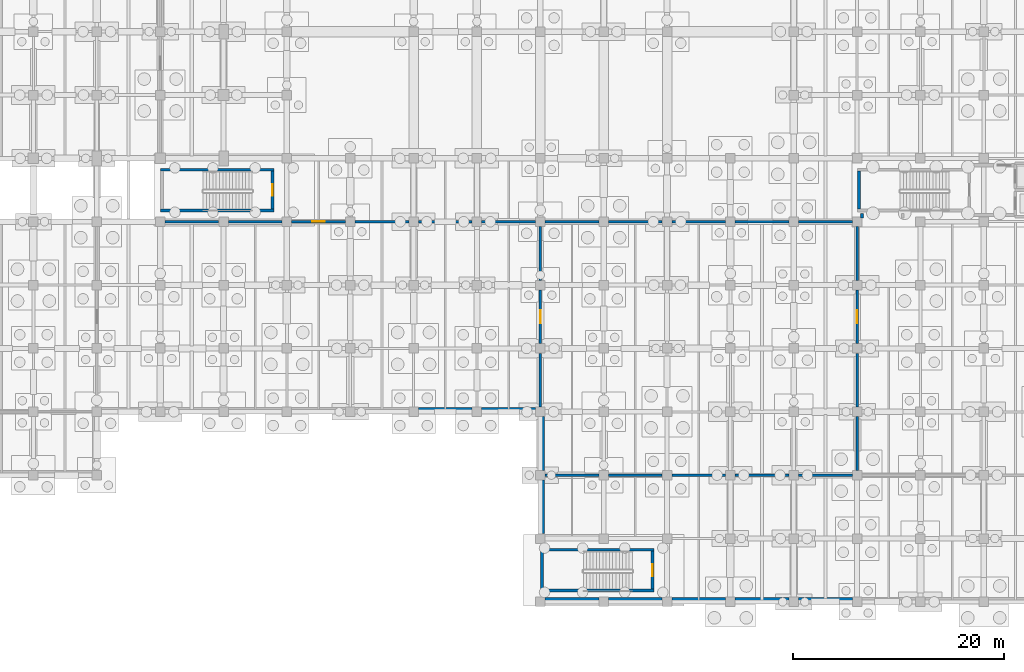
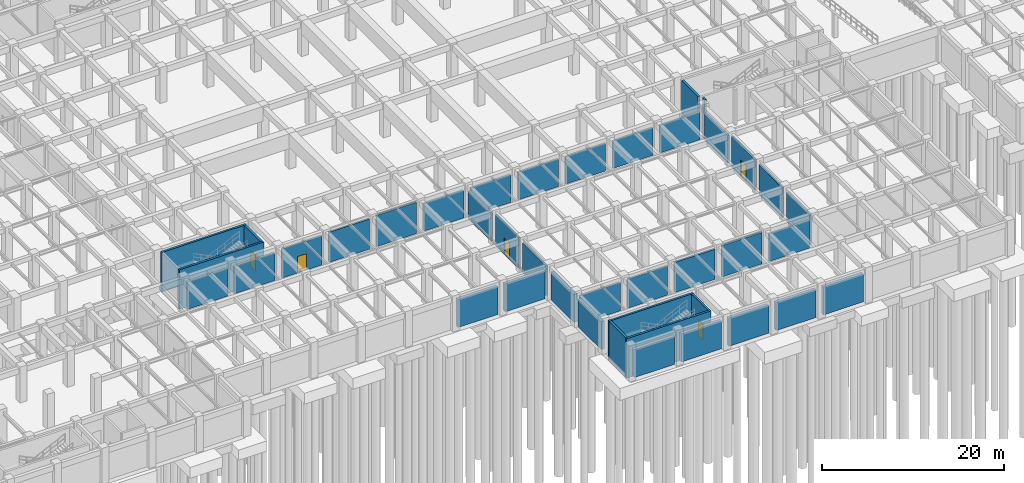
# One storey, part 39 of 54: 41 walls, 5 doors, 5 openings.
"""IFC4 building model written with IfcOpenShell, lengths in metres."""

from ifc_helpers import new_model, si_unit, direction, frame, frame_2d, origin, place, context, subcontext, project, spatial, rectangle, extrude, material, layer, layer_set, type_object, element, fill, save


model = new_model("IFC4")

# Units and contexts
model_context = context("Model", 3, precision=1e-05, world=origin(), true_north=direction((0.0, 1.0)))
body_context = subcontext(model_context, "Body", "Model", "MODEL_VIEW")
ifc_project = project(units=[si_unit("LENGTHUNIT", "METRE"), si_unit("AREAUNIT", "SQUARE_METRE"), si_unit("VOLUMEUNIT", "CUBIC_METRE"), si_unit("PLANEANGLEUNIT", "RADIAN"), si_unit("MASSUNIT", "GRAM", prefix="KILO"), si_unit("THERMODYNAMICTEMPERATUREUNIT", "KELVIN"), si_unit("POWERUNIT", "WATT")], contexts=[model_context])

# Site, building, storey
site_placement = place(None, origin())
site = spatial("IfcSite", under=ifc_project, at=site_placement, CompositionType="ELEMENT")
building_placement = place(site_placement, origin())
building = spatial("IfcBuilding", under=site, at=building_placement, Name="Phaisarnlok Congress Hotel", CompositionType="ELEMENT")
storey_placement = place(building_placement, frame((0.0, 0.0, -4.800048828125)))
storey = spatial("IfcBuildingStorey", under=building, at=storey_placement, Name="B01", CompositionType="ELEMENT", Elevation=-4.800048828125)

# Walls
ifc_material_1 = material(Name="Concrete C40/50", Category="concrete")
ifc_layer_1 = layer(ifc_material_1, 0.419921875, Name="Concrete C40/50")
ifc_layer_set_1 = layer_set([ifc_layer_1], Name="Concrete C40/50")
wall_type_1 = type_object("IfcWallType", Name="WL-EXT-420", PredefinedType="SOLIDWALL", material=ifc_layer_set_1)
for number, where, z_axis, x_axis, name in (
    (1, (84.455078125, 18.2099609375, 0.0), (0.0, 0.0, 1.0), (1.0, 0.0, 0.0), "Exterior wall EW-08 (B01)"),
    (2, (90.455078125, 18.2099609375, 0.0), (0.0, 0.0, 1.0), (1.0, 0.0, 0.0), "Exterior wall EW-08 (B01)"),
    (3, (96.2099609375, 17.544921875, 0.0), (0.0, 0.0, 1.0), (0.0, -1.0, 0.0), "Exterior wall EW-08 (B01)"),
    (4, (96.2099609375, 11.544921875, 0.0), (0.0, 0.0, 1.0), (0.0, -1.0, 0.0), "Exterior wall EW-08 (B01)"),
    (5, (96.455078125, 0.2099609375, 0.0), (0.0, 0.0, 1.0), (1.0, 0.0, 0.0), "Exterior wall EW-08 (B01)"),
    (6, (102.455078125, 0.2099609375, 0.0), (0.0, 0.0, 1.0), (1.0, 0.0, 0.0), "Exterior wall EW-08 (B01)"),
    (7, (108.455078125, 0.2099609375, 0.0), (0.0, 0.0, 1.0), (1.0, 0.0, 0.0), "Exterior wall EW-08 (B01)"),
    (8, (114.455078125, 0.2099609375, 0.0), (0.0, 0.0, 1.0), (1.0, 0.0, 0.0), "Exterior wall EW-08 (B01)"),
    (9, (120.455078125, 0.2099609375, 0.0), (0.0, 0.0, 1.0), (1.0, 0.0, 0.0), "Exterior wall EW-08 (B01)"),
):
    element("IfcWall", number, at=place(storey_placement, frame(where, z_axis=z_axis, x_axis=x_axis)), inside=storey, type_object=wall_type_1, Name=name, PredefinedType="SOLIDWALL", context=body_context, shape_type="SweptSolid", body=[
        extrude(rectangle(XDim=5.08984375, YDim=0.419921875, at=frame_2d((2.544921875, 0.0))), origin(), (0.0, 0.0, 1.0), 3.75),
    ])
ifc_layer_2 = layer(ifc_material_1, 0.239990234375, Name="Concrete C40/50")
ifc_layer_set_2 = layer_set([ifc_layer_2], Name="Concrete C40/50")
wall_type_2 = type_object("IfcWallType", Name="WL-INT-240", PredefinedType="PARTITIONING", material=ifc_layer_set_2)
wall_1_placement = place(storey_placement, frame((96.0, 18.455078125, 0.0), z_axis=(0.0, 0.0, 1.0), x_axis=(0.0, 1.0, 0.0)))
element("IfcWall", 10, at=wall_1_placement, inside=storey, type_object=wall_type_2, Name="Interior partition wall IW-01 (B01)", PredefinedType="PARTITIONING", context=body_context, shape_type="SweptSolid", body=[
    extrude(rectangle(XDim=5.08984375, YDim=0.239990234375, at=frame_2d((2.544921875, 0.0))), origin(), (0.0, 0.0, 1.0), 4.0),
])

# Wall, opening, door
wall_2_placement = place(storey_placement, frame((96.0, 24.455078125, 0.0), z_axis=(0.0, 0.0, 1.0), x_axis=(0.0, 1.0, 0.0)))
wall_2 = element("IfcWall", 11, at=wall_2_placement, inside=storey, type_object=wall_type_2, Name="Interior partition wall IW-01 (B01)", PredefinedType="PARTITIONING", context=body_context, shape_type="SweptSolid", body=[
    extrude(rectangle(XDim=5.08984375, YDim=0.239990234375, at=frame_2d((2.544921875, 0.0))), origin(), (0.0, 0.0, 1.0), 4.16015625),
])
opening_1_placement = place(wall_2_placement, frame((1.945068359375, 0.0, 0.0)))
opening_1 = element("IfcOpeningElement", 12, at=opening_1_placement, cuts=wall_2, Name="Opening D-0010", PredefinedType="OPENING", context=body_context, shape_type="SweptSolid", body=[
    extrude(rectangle(XDim=1.199951171875, YDim=2.199951171875, at=frame_2d((0.60009765625, 1.10009765625))), frame((0.0, 0.1298828125, 0.0), z_axis=(0.0, -1.0, 0.0), x_axis=(1.0, 0.0, 0.0)), (0.0, 0.0, 1.0), 0.260009765625),
])
ifc_material_2 = material(Name="Fire-Rated Steel Frame & Timber Leaf", Category="steel")
door_type_1 = type_object("IfcDoorType", Name="DR-FD60-1200", OperationType="NOTDEFINED", PredefinedType="DOOR", material=ifc_material_2)
door_1_placement = place(opening_1_placement, origin())
door_1 = element("IfcDoor", 13, at=door_1_placement, inside=storey, type_object=door_type_1, Name="Interior door D-0010 (B01)", OperationType="SINGLE_SWING_LEFT", OverallHeight=2.199951171875, OverallWidth=1.199951171875, PredefinedType="DOOR", context=body_context, shape_type="SweptSolid", body=[
    extrude(rectangle(XDim=1.199951171875, YDim=2.199951171875, at=frame_2d((0.60009765625, 1.10009765625))), frame((0.0, 0.02490234375, 0.0), z_axis=(0.0, -1.0, 0.0), x_axis=(1.0, 0.0, 0.0)), (0.0, 0.0, 1.0), 0.050048828125),
])
fill(opening_1, door_1)

# Walls
wall_3_placement = place(storey_placement, frame((96.0, 30.455078125, 0.0), z_axis=(0.0, 0.0, 1.0), x_axis=(0.0, 1.0, 0.0)))
element("IfcWall", 14, at=wall_3_placement, inside=storey, type_object=wall_type_2, Name="Interior partition wall IW-01 (B01)", PredefinedType="PARTITIONING", context=body_context, shape_type="SweptSolid", body=[
    extrude(rectangle(XDim=5.08984375, YDim=0.239990234375, at=frame_2d((2.544921875, 0.0))), origin(), (0.0, 0.0, 1.0), 3.699951171875),
])
wall_4_placement = place(storey_placement, frame((126.0, 12.455078125, 0.0), z_axis=(0.0, 0.0, 1.0), x_axis=(0.0, 1.0, 0.0)))
element("IfcWall", 15, at=wall_4_placement, inside=storey, type_object=wall_type_2, Name="Interior partition wall IW-01 (B01)", PredefinedType="PARTITIONING", context=body_context, shape_type="SweptSolid", body=[
    extrude(rectangle(XDim=5.08984375, YDim=0.239990234375, at=frame_2d((2.544921875, 0.0))), origin(), (0.0, 0.0, 1.0), 3.949951171875),
])
wall_5_placement = place(storey_placement, frame((126.0, 18.455078125, 0.0), z_axis=(0.0, 0.0, 1.0), x_axis=(0.0, 1.0, 0.0)))
element("IfcWall", 16, at=wall_5_placement, inside=storey, type_object=wall_type_2, Name="Interior partition wall IW-01 (B01)", PredefinedType="PARTITIONING", context=body_context, shape_type="SweptSolid", body=[
    extrude(rectangle(XDim=5.08984375, YDim=0.239990234375, at=frame_2d((2.544921875, 0.0))), origin(), (0.0, 0.0, 1.0), 4.0),
])

# Wall, opening, door
wall_6_placement = place(storey_placement, frame((126.0, 24.455078125, 0.0), z_axis=(0.0, 0.0, 1.0), x_axis=(0.0, 1.0, 0.0)))
wall_6 = element("IfcWall", 17, at=wall_6_placement, inside=storey, type_object=wall_type_2, Name="Interior partition wall IW-01 (B01)", PredefinedType="PARTITIONING", context=body_context, shape_type="SweptSolid", body=[
    extrude(rectangle(XDim=5.08984375, YDim=0.239990234375, at=frame_2d((2.544921875, 0.0))), origin(), (0.0, 0.0, 1.0), 4.16015625),
])
opening_2_placement = place(wall_6_placement, frame((1.945068359375, 0.0, 0.0)))
opening_2 = element("IfcOpeningElement", 18, at=opening_2_placement, cuts=wall_6, Name="Opening D-0011", PredefinedType="OPENING", context=body_context, shape_type="SweptSolid", body=[
    extrude(rectangle(XDim=1.199951171875, YDim=2.199951171875, at=frame_2d((0.60009765625, 1.10009765625))), frame((0.0, 0.1298828125, 0.0), z_axis=(0.0, -1.0, 0.0), x_axis=(1.0, 0.0, 0.0)), (0.0, 0.0, 1.0), 0.260009765625),
])
door_2_placement = place(opening_2_placement, origin())
door_2 = element("IfcDoor", 19, at=door_2_placement, inside=storey, type_object=door_type_1, Name="Interior door D-0011 (B01)", OperationType="SINGLE_SWING_RIGHT", OverallHeight=2.199951171875, OverallWidth=1.199951171875, PredefinedType="DOOR", context=body_context, shape_type="SweptSolid", body=[
    extrude(rectangle(XDim=1.199951171875, YDim=2.199951171875, at=frame_2d((0.60009765625, 1.10009765625))), frame((0.0, 0.02490234375, 0.0), z_axis=(0.0, -1.0, 0.0), x_axis=(1.0, 0.0, 0.0)), (0.0, 0.0, 1.0), 0.050048828125),
])
fill(opening_2, door_2)

# Walls
wall_7_placement = place(storey_placement, frame((126.0, 30.455078125, 0.0), z_axis=(0.0, 0.0, 1.0), x_axis=(0.0, 1.0, 0.0)))
element("IfcWall", 20, at=wall_7_placement, inside=storey, type_object=wall_type_2, Name="Interior partition wall IW-01 (B01)", PredefinedType="PARTITIONING", context=body_context, shape_type="SweptSolid", body=[
    extrude(rectangle(XDim=5.08984375, YDim=0.239990234375, at=frame_2d((2.544921875, 0.0))), origin(), (0.0, 0.0, 1.0), 3.699951171875),
])
wall_8_placement = place(storey_placement, frame((96.455078125, 12.0, 0.0), z_axis=(0.0, 0.0, 1.0), x_axis=(1.0, 0.0, 0.0)))
element("IfcWall", 21, at=wall_8_placement, inside=storey, type_object=wall_type_2, Name="Interior partition wall IW-01 (B01)", PredefinedType="PARTITIONING", context=body_context, shape_type="SweptSolid", body=[
    extrude(rectangle(XDim=5.08984375, YDim=0.239990234375, at=frame_2d((2.544921875, 0.0))), origin(), (0.0, 0.0, 1.0), 3.800048828125),
])
wall_9_placement = place(storey_placement, frame((102.455078125, 12.0, 0.0), z_axis=(0.0, 0.0, 1.0), x_axis=(1.0, 0.0, 0.0)))
element("IfcWall", 22, at=wall_9_placement, inside=storey, type_object=wall_type_2, Name="Interior partition wall IW-01 (B01)", PredefinedType="PARTITIONING", context=body_context, shape_type="SweptSolid", body=[
    extrude(rectangle(XDim=5.08984375, YDim=0.239990234375, at=frame_2d((2.544921875, 0.0))), origin(), (0.0, 0.0, 1.0), 3.900146484375),
])
wall_10_placement = place(storey_placement, frame((108.455078125, 12.0, 0.0), z_axis=(0.0, 0.0, 1.0), x_axis=(1.0, 0.0, 0.0)))
element("IfcWall", 23, at=wall_10_placement, inside=storey, type_object=wall_type_2, Name="Interior partition wall IW-01 (B01)", PredefinedType="PARTITIONING", context=body_context, shape_type="SweptSolid", body=[
    extrude(rectangle(XDim=5.08984375, YDim=0.239990234375, at=frame_2d((2.544921875, 0.0))), origin(), (0.0, 0.0, 1.0), 4.050048828125),
])
wall_11_placement = place(storey_placement, frame((114.455078125, 12.0, 0.0), z_axis=(0.0, 0.0, 1.0), x_axis=(1.0, 0.0, 0.0)))
element("IfcWall", 24, at=wall_11_placement, inside=storey, type_object=wall_type_2, Name="Interior partition wall IW-01 (B01)", PredefinedType="PARTITIONING", context=body_context, shape_type="SweptSolid", body=[
    extrude(rectangle(XDim=5.08984375, YDim=0.239990234375, at=frame_2d((2.544921875, 0.0))), origin(), (0.0, 0.0, 1.0), 4.2099609375),
])
for number, where, z_axis, x_axis, name in (
    (25, (120.455078125, 12.0, 0.0), (0.0, 0.0, 1.0), (1.0, 0.0, 0.0), "Interior partition wall IW-01 (B01)"),
    (26, (60.455078125, 36.0, 0.0), (0.0, 0.0, 1.0), (1.0, 0.0, 0.0), "Interior partition wall IW-01 (B01)"),
    (27, (66.455078125, 36.0, 0.0), (0.0, 0.0, 1.0), (1.0, 0.0, 0.0), "Interior partition wall IW-01 (B01)"),
):
    element("IfcWall", number, at=place(storey_placement, frame(where, z_axis=z_axis, x_axis=x_axis)), inside=storey, type_object=wall_type_2, Name=name, PredefinedType="PARTITIONING", context=body_context, shape_type="SweptSolid", body=[
        extrude(rectangle(XDim=5.08984375, YDim=0.239990234375, at=frame_2d((2.544921875, 0.0))), origin(), (0.0, 0.0, 1.0), 3.699951171875),
    ])

# Wall, opening, door
wall_12_placement = place(storey_placement, frame((72.455078125, 36.0, 0.0), z_axis=(0.0, 0.0, 1.0), x_axis=(1.0, 0.0, 0.0)))
wall_12 = element("IfcWall", 28, at=wall_12_placement, inside=storey, type_object=wall_type_2, Name="Interior partition wall IW-01 (B01)", PredefinedType="PARTITIONING", context=body_context, shape_type="SweptSolid", body=[
    extrude(rectangle(XDim=5.08984375, YDim=0.239990234375, at=frame_2d((2.544921875, 0.0))), origin(), (0.0, 0.0, 1.0), 3.900146484375),
])
opening_3_placement = place(wall_12_placement, frame((1.945068359375, 0.0, 0.0)))
opening_3 = element("IfcOpeningElement", 29, at=opening_3_placement, cuts=wall_12, Name="Opening D-0009", PredefinedType="OPENING", context=body_context, shape_type="SweptSolid", body=[
    extrude(rectangle(XDim=1.199951171875, YDim=2.199951171875, at=frame_2d((0.60009765625, 1.10009765625))), frame((0.0, 0.1298828125, 0.0), z_axis=(0.0, -1.0, 0.0), x_axis=(1.0, 0.0, 0.0)), (0.0, 0.0, 1.0), 0.260009765625),
])
door_3_placement = place(opening_3_placement, origin())
door_3 = element("IfcDoor", 30, at=door_3_placement, inside=storey, type_object=door_type_1, Name="Interior door D-0009 (B01)", OperationType="SINGLE_SWING_RIGHT", OverallHeight=2.199951171875, OverallWidth=1.199951171875, PredefinedType="DOOR", context=body_context, shape_type="SweptSolid", body=[
    extrude(rectangle(XDim=1.199951171875, YDim=2.199951171875, at=frame_2d((0.60009765625, 1.10009765625))), frame((0.0, 0.02490234375, 0.0), z_axis=(0.0, -1.0, 0.0), x_axis=(1.0, 0.0, 0.0)), (0.0, 0.0, 1.0), 0.050048828125),
])
fill(opening_3, door_3)

# Walls
wall_13_placement = place(storey_placement, frame((78.455078125, 36.0, 0.0), z_axis=(0.0, 0.0, 1.0), x_axis=(1.0, 0.0, 0.0)))
element("IfcWall", 31, at=wall_13_placement, inside=storey, type_object=wall_type_2, Name="Interior partition wall IW-01 (B01)", PredefinedType="PARTITIONING", context=body_context, shape_type="SweptSolid", body=[
    extrude(rectangle(XDim=5.08984375, YDim=0.239990234375, at=frame_2d((2.544921875, 0.0))), origin(), (0.0, 0.0, 1.0), 4.050048828125),
])
wall_14_placement = place(storey_placement, frame((84.455078125, 36.0, 0.0), z_axis=(0.0, 0.0, 1.0), x_axis=(1.0, 0.0, 0.0)))
element("IfcWall", 32, at=wall_14_placement, inside=storey, type_object=wall_type_2, Name="Interior partition wall IW-01 (B01)", PredefinedType="PARTITIONING", context=body_context, shape_type="SweptSolid", body=[
    extrude(rectangle(XDim=5.08984375, YDim=0.239990234375, at=frame_2d((2.544921875, 0.0))), origin(), (0.0, 0.0, 1.0), 4.2099609375),
])
for number, where, z_axis, x_axis, name in (
    (33, (90.455078125, 36.0, 0.0), (0.0, 0.0, 1.0), (1.0, 0.0, 0.0), "Interior partition wall IW-01 (B01)"),
    (34, (96.455078125, 36.0, 0.0), (0.0, 0.0, 1.0), (1.0, 0.0, 0.0), "Interior partition wall IW-01 (B01)"),
    (35, (102.455078125, 36.0, 0.0), (0.0, 0.0, 1.0), (1.0, 0.0, 0.0), "Interior partition wall IW-01 (B01)"),
    (36, (108.455078125, 36.0, 0.0), (0.0, 0.0, 1.0), (1.0, 0.0, 0.0), "Interior partition wall IW-01 (B01)"),
    (37, (114.455078125, 36.0, 0.0), (0.0, 0.0, 1.0), (1.0, 0.0, 0.0), "Interior partition wall IW-01 (B01)"),
    (38, (120.455078125, 36.0, 0.0), (0.0, 0.0, 1.0), (1.0, 0.0, 0.0), "Interior partition wall IW-01 (B01)"),
):
    element("IfcWall", number, at=place(storey_placement, frame(where, z_axis=z_axis, x_axis=x_axis)), inside=storey, type_object=wall_type_2, Name=name, PredefinedType="PARTITIONING", context=body_context, shape_type="SweptSolid", body=[
        extrude(rectangle(XDim=5.08984375, YDim=0.239990234375, at=frame_2d((2.544921875, 0.0))), origin(), (0.0, 0.0, 1.0), 3.699951171875),
    ])
ifc_material_3 = material(Name="Concrete C50/60", Category="concrete")
ifc_layer_3 = layer(ifc_material_3, 0.260009765625, Name="Concrete C50/60")
ifc_layer_set_3 = layer_set([ifc_layer_3], Name="Concrete C50/60")
wall_type_3 = type_object("IfcWallType", Name="WL-SHR-260", PredefinedType="SHEAR", material=ifc_layer_set_3)
wall_15_placement = place(storey_placement, frame((126.169921875, 37.199951171875, -0.5), z_axis=(0.0, 0.0, 1.0), x_axis=(0.0, 1.0, 0.0)))
element("IfcWall", 39, at=wall_15_placement, inside=storey, type_object=wall_type_3, Name="Stair shaft shear wall SW-04 (CORE-6 B01)", PredefinedType="SHEAR", context=body_context, shape_type="SweptSolid", body=[
    extrude(rectangle(XDim=3.60009765625, YDim=0.260009765625, at=frame_2d((1.800048828125, 0.0))), origin(), (0.0, 0.0, 1.0), 5.300048828125),
])
wall_16_placement = place(storey_placement, frame((126.469970703125, 36.330078125, -0.5), z_axis=(0.0, 0.0, 1.0), x_axis=(0.0, 1.0, 0.0)))
element("IfcWall", 40, at=wall_16_placement, inside=storey, type_object=wall_type_3, Name="Service riser shaft wall SW-04 (CORE-6 B01)", PredefinedType="SHEAR", context=body_context, shape_type="SweptSolid", body=[
    extrude(rectangle(XDim=0.43994140625, YDim=0.260009765625, at=frame_2d((0.219970703125, 0.0))), origin(), (0.0, 0.0, 1.0), 5.300048828125),
])
for number, where, z_axis, x_axis, name in (
    (41, (60.0400390625, 37.070068359375, -0.5), (0.0, 0.0, 1.0), (1.0, 0.0, 0.0), "Stair shaft shear wall SW-04 (STAIR-POD-S B01)"),
    (42, (60.0400390625, 40.929931640625, -0.5), (0.0, 0.0, 1.0), (1.0, 0.0, 0.0), "Stair shaft shear wall SW-04 (STAIR-POD-S B01)"),
):
    element("IfcWall", number, at=place(storey_placement, frame(where, z_axis=z_axis, x_axis=x_axis)), inside=storey, type_object=wall_type_3, Name=name, PredefinedType="SHEAR", context=body_context, shape_type="SweptSolid", body=[
        extrude(rectangle(XDim=10.719970703125, YDim=0.260009765625, at=frame_2d((5.35986328125, 0.0))), origin(), (0.0, 0.0, 1.0), 5.300048828125),
    ])

# Wall, opening, door
wall_17_placement = place(storey_placement, frame((70.6298828125, 37.199951171875, -0.5), z_axis=(0.0, 0.0, 1.0), x_axis=(0.0, 1.0, 0.0)))
wall_17 = element("IfcWall", 43, at=wall_17_placement, inside=storey, type_object=wall_type_3, Name="Stair shaft shear wall SW-04 (STAIR-POD-S B01)", PredefinedType="SHEAR", context=body_context, shape_type="SweptSolid", body=[
    extrude(rectangle(XDim=3.60009765625, YDim=0.260009765625, at=frame_2d((1.800048828125, 0.0))), origin(), (0.0, 0.0, 1.0), 5.300048828125),
])
opening_4_placement = place(wall_17_placement, frame((1.25, 0.0, 0.5)))
opening_4 = element("IfcOpeningElement", 44, at=opening_4_placement, cuts=wall_17, Name="Opening FD-155", PredefinedType="OPENING", context=body_context, shape_type="SweptSolid", body=[
    extrude(rectangle(XDim=1.10009765625, YDim=2.14990234375, at=frame_2d((0.550048828125, 1.074951171875))), frame((0.0, 0.14013671875, 0.0), z_axis=(0.0, -1.0, 0.0), x_axis=(1.0, 0.0, 0.0)), (0.0, 0.0, 1.0), 0.280029296875),
])
door_type_2 = type_object("IfcDoorType", Name="DR-FD60-1100", OperationType="NOTDEFINED", PredefinedType="DOOR", material=ifc_material_2)
door_4_placement = place(opening_4_placement, origin())
door_4 = element("IfcDoor", 45, at=door_4_placement, inside=storey, type_object=door_type_2, Name="Stair enclosure fire door FD-155 (B01)", OperationType="SINGLE_SWING_RIGHT", OverallHeight=2.14990234375, OverallWidth=1.10009765625, PredefinedType="DOOR", context=body_context, shape_type="SweptSolid", body=[
    extrude(rectangle(XDim=1.10009765625, YDim=2.14990234375, at=frame_2d((0.550048828125, 1.074951171875))), frame((0.0, 0.02490234375, 0.0), z_axis=(0.0, -1.0, 0.0), x_axis=(1.0, 0.0, 0.0)), (0.0, 0.0, 1.0), 0.050048828125),
])
fill(opening_4, door_4)

# Walls
for number, where, z_axis, x_axis, name in (
    (46, (96.0400390625, 1.070068359375, -0.5), (0.0, 0.0, 1.0), (1.0, 0.0, 0.0), "Stair shaft shear wall SW-04 (STAIR-S B01)"),
    (47, (96.0400390625, 4.929931640625, -0.5), (0.0, 0.0, 1.0), (1.0, 0.0, 0.0), "Stair shaft shear wall SW-04 (STAIR-S B01)"),
):
    element("IfcWall", number, at=place(storey_placement, frame(where, z_axis=z_axis, x_axis=x_axis)), inside=storey, type_object=wall_type_3, Name=name, PredefinedType="SHEAR", context=body_context, shape_type="SweptSolid", body=[
        extrude(rectangle(XDim=10.719970703125, YDim=0.260009765625, at=frame_2d((5.35986328125, 0.0))), origin(), (0.0, 0.0, 1.0), 5.300048828125),
    ])

# Wall, opening, door
wall_18_placement = place(storey_placement, frame((106.6298828125, 1.199951171875, -0.5), z_axis=(0.0, 0.0, 1.0), x_axis=(0.0, 1.0, 0.0)))
wall_18 = element("IfcWall", 48, at=wall_18_placement, inside=storey, type_object=wall_type_3, Name="Stair shaft shear wall SW-04 (STAIR-S B01)", PredefinedType="SHEAR", context=body_context, shape_type="SweptSolid", body=[
    extrude(rectangle(XDim=3.60009765625, YDim=0.260009765625, at=frame_2d((1.800048828125, 0.0))), origin(), (0.0, 0.0, 1.0), 5.300048828125),
])
opening_5_placement = place(wall_18_placement, frame((1.25, 0.0, 0.5)))
opening_5 = element("IfcOpeningElement", 49, at=opening_5_placement, cuts=wall_18, Name="Opening FD-170", PredefinedType="OPENING", context=body_context, shape_type="SweptSolid", body=[
    extrude(rectangle(XDim=1.10009765625, YDim=2.14990234375, at=frame_2d((0.550048828125, 1.074951171875))), frame((0.0, 0.14013671875, 0.0), z_axis=(0.0, -1.0, 0.0), x_axis=(1.0, 0.0, 0.0)), (0.0, 0.0, 1.0), 0.280029296875),
])
door_5_placement = place(opening_5_placement, origin())
door_5 = element("IfcDoor", 50, at=door_5_placement, inside=storey, type_object=door_type_2, Name="Stair enclosure fire door FD-170 (B01)", OperationType="SINGLE_SWING_LEFT", OverallHeight=2.14990234375, OverallWidth=1.10009765625, PredefinedType="DOOR", context=body_context, shape_type="SweptSolid", body=[
    extrude(rectangle(XDim=1.10009765625, YDim=2.14990234375, at=frame_2d((0.550048828125, 1.074951171875))), frame((0.0, 0.02490234375, 0.0), z_axis=(0.0, -1.0, 0.0), x_axis=(1.0, 0.0, 0.0)), (0.0, 0.0, 1.0), 0.050048828125),
])
fill(opening_5, door_5)

# Wall
ifc_layer_4 = layer(ifc_material_3, 0.260009765625, Name="Concrete C50/60")
ifc_layer_set_4 = layer_set([ifc_layer_4], Name="Concrete C50/60")
wall_type_4 = type_object("IfcWallType", Name="WL-SHR-260-EXT", PredefinedType="SHEAR", material=ifc_layer_set_4)
wall_19_placement = place(storey_placement, frame((96.169921875, 1.199951171875, -0.5), z_axis=(0.0, 0.0, 1.0), x_axis=(0.0, 1.0, 0.0)))
element("IfcWall", 51, at=wall_19_placement, inside=storey, type_object=wall_type_4, Name="Stair shaft shear wall SW-04E (STAIR-S B01)", PredefinedType="SHEAR", context=body_context, shape_type="SweptSolid", body=[
    extrude(rectangle(XDim=3.60009765625, YDim=0.260009765625, at=frame_2d((1.800048828125, 0.0))), origin(), (0.0, 0.0, 1.0), 5.300048828125),
])

save(model, "model.ifc")
